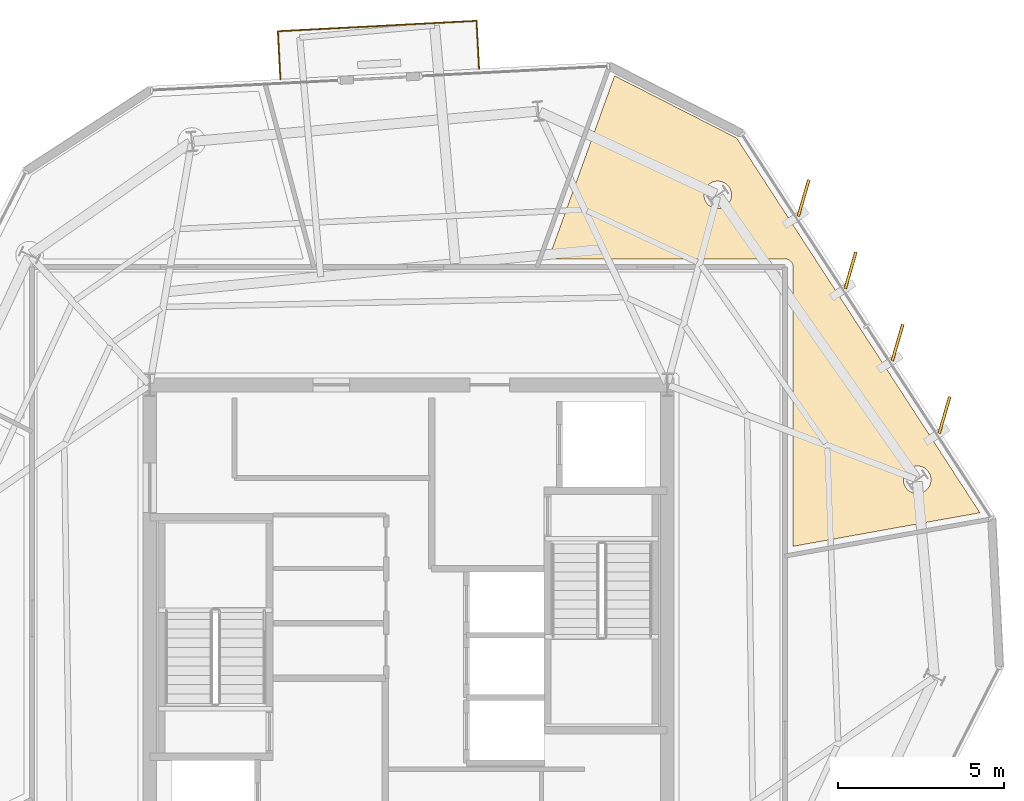
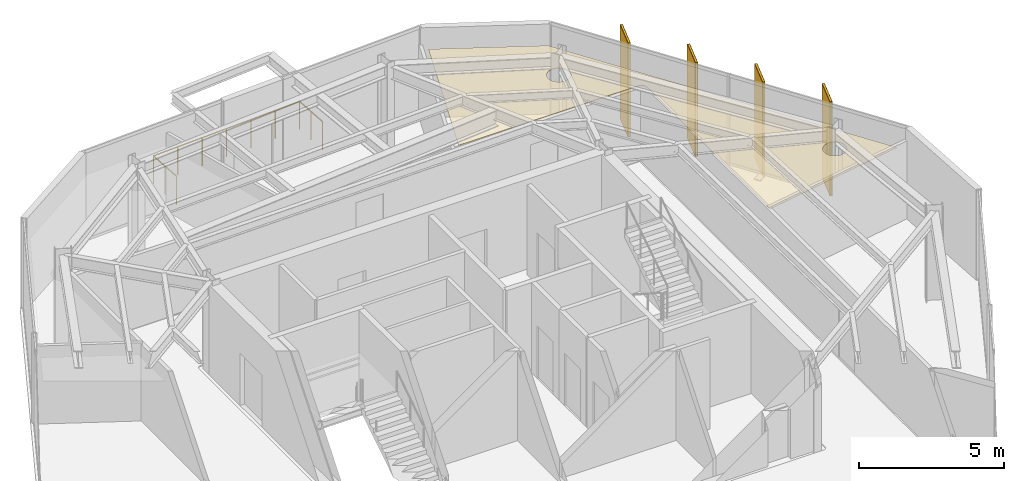
# One storey, part 11 of 11: 5 coverings, 4 shading devices, 1 railing.
"""IFC4 building model written with IfcOpenShell, lengths in metres."""

from ifc_helpers import new_model, si_unit, direction, frame, origin, origin_2d, place, context, subcontext, project, spatial, polyline, rectangle, circle, outline, extrude, material, layer, layer_set, type_object, element, save


model = new_model("IFC4")

# Units and contexts
model_context = context("Model", 3, precision=1e-05, world=origin(), true_north=direction((0.0, 1.0)))
body_context = subcontext(model_context, "Body", "Model", "MODEL_VIEW")
ifc_project = project(units=[si_unit("LENGTHUNIT", "METRE"), si_unit("AREAUNIT", "SQUARE_METRE"), si_unit("VOLUMEUNIT", "CUBIC_METRE"), si_unit("PLANEANGLEUNIT", "RADIAN"), si_unit("MASSUNIT", "GRAM", prefix="KILO")], contexts=[model_context])

# Site, building, storey
site_placement = place(None, origin())
site = spatial("IfcSite", under=ifc_project, at=site_placement, CompositionType="ELEMENT")
building_placement = place(site_placement, origin())
building = spatial("IfcBuilding", under=site, at=building_placement, Name="Kranzbogen Civic Tower", CompositionType="ELEMENT")
storey_placement = place(building_placement, frame((0.0, 0.0, 278.199951171875)))
storey = spatial("IfcBuildingStorey", under=building, at=storey_placement, Name="L67", CompositionType="ELEMENT", Elevation=278.199951171875)

# Coverings
ifc_material_1 = material(Name="Pale Anodised Aluminium", Category="aluminium")
ifc_layer_1 = layer(ifc_material_1, 0.02490234375, Name="Pale Anodised Aluminium")
ifc_layer_set_1 = layer_set([ifc_layer_1], Name="Pale Anodised Aluminium")
covering_type_1 = type_object("IfcCoveringType", Name="Anodised Aluminium Vertical Fin Cladding 25 mm", PredefinedType="CLADDING", material=ifc_layer_set_1)
for number, where, z_axis, x_axis, name in (
    (1, (41.157958984375, 31.291015625, -0.139892578125), (0.0, 0.0, 1.0), (0.279544149192, 0.960132839066, 0.0), "L67 vertical fin pale-metal cladding F6-1"),
    (2, (39.741943359375, 33.470947265625, -0.139892578125), (0.0, 0.0, 1.0), (0.279544149192, 0.960132839066, 0.0), "L67 vertical fin pale-metal cladding F6-2"),
    (3, (38.325927734375, 35.652099609375, -0.139892578125), (0.0, 0.0, 1.0), (0.279544149192, 0.960132839066, 0.0), "L67 vertical fin pale-metal cladding F6-3"),
    (4, (36.909912109375, 37.83203125, -0.139892578125), (0.0, 0.0, 1.0), (0.279544149192, 0.960132839066, 0.0), "L67 vertical fin pale-metal cladding F6-4"),
):
    element("IfcCovering", number, at=place(storey_placement, frame(where, z_axis=z_axis, x_axis=x_axis)), inside=storey, type_object=covering_type_1, Name=name, PredefinedType="CLADDING", context=body_context, shape_type="SweptSolid", body=[
        extrude(rectangle(XDim=1.14990234375, YDim=0.094970703125, at=origin_2d()), origin(), (0.0, 0.0, 1.0), 3.9599609375),
    ])

# Railing
ifc_material_2 = material(Name="Anodised Bronze Aluminium", Category="aluminium")
railing_type = type_object("IfcRailingType", Name="Cantilevered Balcony Glass and Bronze Balustrade 1200", PredefinedType="BALUSTRADE", material=ifc_material_2)
railing_placement = place(storey_placement, frame((27.1279296875, 41.72607421875, 0.0)))
element("IfcRailing", 5, at=railing_placement, inside=storey, type_object=railing_type, Name="L67 exterior terrace balustrade L67-TB1", PredefinedType="BALUSTRADE", context=body_context, shape_type="SweptSolid", body=[
    extrude(circle(Radius=0.02392578125, at=origin_2d()), frame((0.0, 0.0, 1.17578125), z_axis=(-0.05236441096, 0.9986280431, 0.0), x_axis=(-0.9986280431, -0.05236441096, 0.0)), (0.0, 0.0, 1.0), 1.449951171875),
    extrude(circle(Radius=0.02392578125, at=origin_2d()), frame((-0.075927734375, 1.447998046875, 1.17578125), z_axis=(-0.998630053861, -0.052326050168, 0.0), x_axis=(0.052326050168, -0.998630053861, 0.0)), (0.0, 0.0, 1.0), 6.000244140625),
    extrude(circle(Radius=0.02392578125, at=origin_2d()), frame((-6.06787109375, 1.134033203125, 1.17578125), z_axis=(0.05236441096, -0.9986280431, 0.0), x_axis=(0.9986280431, 0.05236441096, 0.0)), (0.0, 0.0, 1.0), 1.449951171875),
    extrude(circle(Radius=0.02099609375, at=origin_2d()), origin(), (0.0, 0.0, 1.0), 1.15185546875),
    extrude(circle(Radius=0.02099609375, at=origin_2d()), frame((-0.0380859375, 0.72412109375, 0.0)), (0.0, 0.0, 1.0), 1.15185546875),
    extrude(circle(Radius=0.02099609375, at=origin_2d()), frame((-0.075927734375, 1.447998046875, 0.0)), (0.0, 0.0, 1.0), 1.15185546875),
    extrude(circle(Radius=0.02099609375, at=origin_2d()), frame((-1.07470703125, 1.395751953125, 0.0)), (0.0, 0.0, 1.0), 1.15185546875),
    extrude(circle(Radius=0.02099609375, at=origin_2d()), frame((-2.0732421875, 1.34326171875, 0.0)), (0.0, 0.0, 1.0), 1.15185546875),
    extrude(circle(Radius=0.02099609375, at=origin_2d()), frame((-3.07177734375, 1.291015625, 0.0)), (0.0, 0.0, 1.0), 1.15185546875),
    extrude(circle(Radius=0.02099609375, at=origin_2d()), frame((-4.070556640625, 1.23876953125, 0.0)), (0.0, 0.0, 1.0), 1.15185546875),
    extrude(circle(Radius=0.02099609375, at=origin_2d()), frame((-5.0693359375, 1.186279296875, 0.0)), (0.0, 0.0, 1.0), 1.15185546875),
    extrude(circle(Radius=0.02099609375, at=origin_2d()), frame((-6.06787109375, 1.134033203125, 0.0)), (0.0, 0.0, 1.0), 1.15185546875),
    extrude(circle(Radius=0.02099609375, at=origin_2d()), frame((-6.02978515625, 0.41015625, 0.0)), (0.0, 0.0, 1.0), 1.15185546875),
    extrude(circle(Radius=0.02099609375, at=origin_2d()), frame((-5.991943359375, -0.31396484375, 0.0)), (0.0, 0.0, 1.0), 1.15185546875),
])

# Shading devices
shading_device_type = type_object("IfcShadingDeviceType", Name="Pale Anodised Aluminium Crown Fin 1150x75", PredefinedType="USERDEFINED", material=ifc_material_1)
for number, where, z_axis, x_axis, name in (
    (6, (41.157958984375, 31.291015625, -0.139892578125), (0.0, 0.0, 1.0), (0.279544149192, 0.960132839066, 0.0), "L67 vertical exterior shading fin F6-1"),
    (7, (39.741943359375, 33.470947265625, -0.139892578125), (0.0, 0.0, 1.0), (0.279544149192, 0.960132839066, 0.0), "L67 vertical exterior shading fin F6-2"),
    (8, (38.325927734375, 35.652099609375, -0.139892578125), (0.0, 0.0, 1.0), (0.279544149192, 0.960132839066, 0.0), "L67 vertical exterior shading fin F6-3"),
    (9, (36.909912109375, 37.83203125, -0.139892578125), (0.0, 0.0, 1.0), (0.279544149192, 0.960132839066, 0.0), "L67 vertical exterior shading fin F6-4"),
):
    element("IfcShadingDevice", number, at=place(storey_placement, frame(where, z_axis=z_axis, x_axis=x_axis)), inside=storey, type_object=shading_device_type, Name=name, ObjectType="FIN", PredefinedType="USERDEFINED", context=body_context, shape_type="SweptSolid", body=[
        extrude(rectangle(XDim=1.14990234375, YDim=0.074951171875, at=origin_2d()), origin(), (0.0, 0.0, 1.0), 3.9599609375),
    ])

# Covering
ifc_material_3 = material(Name="Perforated Acoustic Gypsum Ceiling")
ifc_layer_2 = layer(ifc_material_3, 0.02490234375, Name="Perforated Acoustic Gypsum Ceiling")
ifc_layer_set_2 = layer_set([ifc_layer_2], Name="Perforated Acoustic Gypsum Ceiling")
covering_type_2 = type_object("IfcCoveringType", Name="Perforated Acoustic Mineral Ceiling Tile 25 mm", PredefinedType="CEILING", material=ifc_layer_set_2)
covering_placement = place(storey_placement, frame((0.0, 0.0, 2.900146484375)))
element("IfcCovering", 10, at=covering_placement, inside=storey, type_object=covering_type_2, Name="L67 Hospitality Catering Kitchen acoustic ceiling", PredefinedType="CEILING", context=body_context, shape_type="SweptSolid", body=[
    extrude(outline(polyline([(36.594970703125, 27.3310546875), (36.594970703125, 35.75), (36.594970703125, 35.759033203125), (36.593994140625, 35.764892578125), (36.593017578125, 35.782958984375), (36.592041015625, 35.7890625), (36.587890625, 35.805908203125), (36.5869140625, 35.81298828125), (36.58203125, 35.830078125), (36.580078125, 35.8359375), (36.572998046875, 35.85205078125), (36.570068359375, 35.85791015625), (36.56201171875, 35.873046875), (36.55810546875, 35.87890625), (36.549072265625, 35.89306640625), (36.544921875, 35.89794921875), (36.533935546875, 35.912109375), (36.529052734375, 35.9169921875), (36.51708984375, 35.928955078125), (36.511962890625, 35.93408203125), (36.498046875, 35.945068359375), (36.492919921875, 35.948974609375), (36.47900390625, 35.9580078125), (36.472900390625, 35.9619140625), (36.4580078125, 35.969970703125), (36.451904296875, 35.972900390625), (36.43603515625, 35.97998046875), (36.429931640625, 35.98193359375), (36.4130859375, 35.987060546875), (36.406005859375, 35.988037109375), (36.388916015625, 35.991943359375), (36.383056640625, 35.992919921875), (36.364990234375, 35.993896484375), (36.35888671875, 35.9951171875), (36.35009765625, 35.9951171875), (29.222900390625, 35.9951171875), (31.2119140625, 41.513916015625), (34.887939453125, 39.64111328125), (42.22509765625, 28.343017578125), (36.594970703125, 27.3310546875)]), holes=[polyline([(40.718017578125, 29.179931640625), (40.699951171875, 29.14306640625), (40.678955078125, 29.10791015625), (40.655029296875, 29.074951171875), (40.6279296875, 29.044921875), (40.597900390625, 29.01806640625), (40.56494140625, 28.993896484375), (40.530029296875, 28.972900390625), (40.492919921875, 28.955078125), (40.455078125, 28.94091796875), (40.4150390625, 28.931884765625), (40.375, 28.926025390625), (40.333984375, 28.924072265625), (40.29296875, 28.926025390625), (40.2529296875, 28.931884765625), (40.212890625, 28.94091796875), (40.175048828125, 28.955078125), (40.137939453125, 28.972900390625), (40.10302734375, 28.993896484375), (40.070068359375, 29.01806640625), (40.0400390625, 29.044921875), (40.012939453125, 29.074951171875), (39.989013671875, 29.10791015625), (39.968017578125, 29.14306640625), (39.949951171875, 29.179931640625), (39.93603515625, 29.218017578125), (39.927001953125, 29.258056640625), (39.9208984375, 29.298095703125), (39.9189453125, 29.339111328125), (39.9208984375, 29.3798828125), (39.927001953125, 29.419921875), (39.93603515625, 29.4599609375), (39.949951171875, 29.498046875), (39.968017578125, 29.534912109375), (39.989013671875, 29.570068359375), (40.012939453125, 29.60302734375), (40.0400390625, 29.633056640625), (40.070068359375, 29.659912109375), (40.10302734375, 29.68408203125), (40.137939453125, 29.705078125), (40.175048828125, 29.722900390625), (40.212890625, 29.737060546875), (40.2529296875, 29.74609375), (40.29296875, 29.751953125), (40.333984375, 29.75390625), (40.375, 29.751953125), (40.4150390625, 29.74609375), (40.455078125, 29.737060546875), (40.492919921875, 29.722900390625), (40.530029296875, 29.705078125), (40.56494140625, 29.68408203125), (40.597900390625, 29.659912109375), (40.6279296875, 29.633056640625), (40.655029296875, 29.60302734375), (40.678955078125, 29.570068359375), (40.699951171875, 29.534912109375), (40.718017578125, 29.498046875), (40.73193359375, 29.4599609375), (40.740966796875, 29.419921875), (40.7470703125, 29.3798828125), (40.7490234375, 29.339111328125), (40.7470703125, 29.298095703125), (40.740966796875, 29.258056640625), (40.73193359375, 29.218017578125), (40.718017578125, 29.179931640625)]), polyline([(34.7060546875, 37.76708984375), (34.68798828125, 37.72998046875), (34.6669921875, 37.695068359375), (34.64306640625, 37.662109375), (34.615966796875, 37.632080078125), (34.5859375, 37.60498046875), (34.552978515625, 37.5810546875), (34.51806640625, 37.56005859375), (34.48095703125, 37.5419921875), (34.443115234375, 37.528076171875), (34.403076171875, 37.51904296875), (34.363037109375, 37.512939453125), (34.322021484375, 37.510986328125), (34.281005859375, 37.512939453125), (34.240966796875, 37.51904296875), (34.200927734375, 37.528076171875), (34.1630859375, 37.5419921875), (34.1259765625, 37.56005859375), (34.091064453125, 37.5810546875), (34.05810546875, 37.60498046875), (34.028076171875, 37.632080078125), (34.0009765625, 37.662109375), (33.97705078125, 37.695068359375), (33.9560546875, 37.72998046875), (33.93798828125, 37.76708984375), (33.924072265625, 37.804931640625), (33.9150390625, 37.844970703125), (33.908935546875, 37.885009765625), (33.906982421875, 37.926025390625), (33.908935546875, 37.967041015625), (33.9150390625, 38.007080078125), (33.924072265625, 38.047119140625), (33.93798828125, 38.0849609375), (33.9560546875, 38.1220703125), (33.97705078125, 38.156982421875), (34.0009765625, 38.18994140625), (34.028076171875, 38.219970703125), (34.05810546875, 38.2470703125), (34.091064453125, 38.27099609375), (34.1259765625, 38.2919921875), (34.1630859375, 38.31005859375), (34.200927734375, 38.323974609375), (34.240966796875, 38.3330078125), (34.281005859375, 38.339111328125), (34.322021484375, 38.341064453125), (34.363037109375, 38.339111328125), (34.403076171875, 38.3330078125), (34.443115234375, 38.323974609375), (34.48095703125, 38.31005859375), (34.51806640625, 38.2919921875), (34.552978515625, 38.27099609375), (34.5859375, 38.2470703125), (34.615966796875, 38.219970703125), (34.64306640625, 38.18994140625), (34.6669921875, 38.156982421875), (34.68798828125, 38.1220703125), (34.7060546875, 38.0849609375), (34.719970703125, 38.047119140625), (34.72900390625, 38.007080078125), (34.735107421875, 37.967041015625), (34.737060546875, 37.926025390625), (34.735107421875, 37.885009765625), (34.72900390625, 37.844970703125), (34.719970703125, 37.804931640625), (34.7060546875, 37.76708984375)])]), origin(), (0.0, 0.0, 1.0), 0.02490234375),
])

save(model, "model.ifc")
